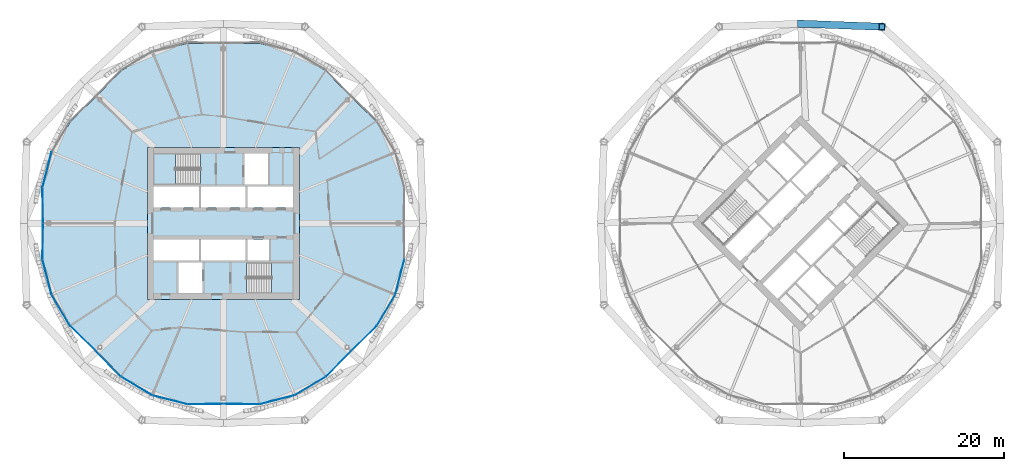
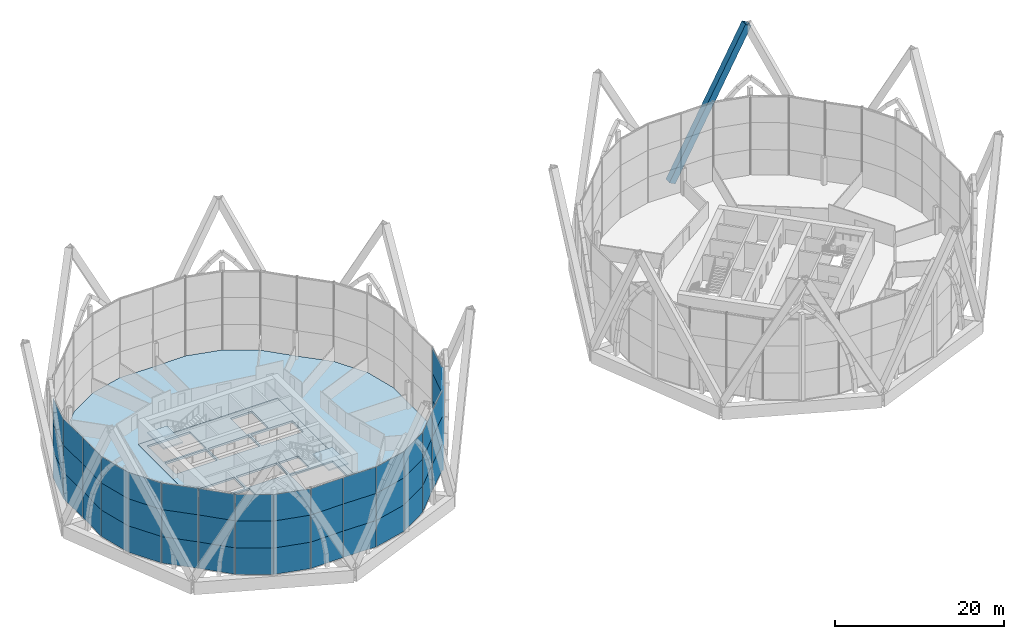
# One storey, part 24 of 37: 51 plates, 4 slabs, 1 member, 7 elements without a shape of their own.
"""IFC4 building model written with IfcOpenShell, lengths in metres."""

from ifc_helpers import new_model, si_unit, direction, frame, origin, origin_2d, place, context, subcontext, project, spatial, polyline, rectangle, hollow_rectangle, outline, extrude, material, layer, layer_set, material_profile, profile_set, type_object, element, aggregate, save


model = new_model("IFC4")

# Units and contexts
model_context = context("Model", 3, precision=1e-05, world=origin(), true_north=direction((0.0, 1.0)))
body_context = subcontext(model_context, "Body", "Model", "MODEL_VIEW")
ifc_project = project(units=[si_unit("LENGTHUNIT", "METRE"), si_unit("AREAUNIT", "SQUARE_METRE"), si_unit("VOLUMEUNIT", "CUBIC_METRE"), si_unit("PLANEANGLEUNIT", "RADIAN"), si_unit("MASSUNIT", "GRAM", prefix="KILO")], contexts=[model_context])

# Site, building, storey
site_placement = place(None, origin())
site = spatial("IfcSite", under=ifc_project, at=site_placement, CompositionType="ELEMENT")
building_placement = place(site_placement, origin())
building = spatial("IfcBuilding", under=site, at=building_placement, Name="Ogive Gate Towers", CompositionType="ELEMENT")
storey_placement = place(building_placement, frame((0.0, 0.0, 32.39990234375)))
storey = spatial("IfcBuildingStorey", under=building, at=storey_placement, Name="L06", CompositionType="ELEMENT", Elevation=32.39990234375)

# Member
ifc_material_1 = material(Name="Steel SM460", Category="steel")
ifc_material_profile = material_profile(ifc_material_1, hollow_rectangle(XDim=0.89990234375, YDim=0.89990234375, WallThickness=0.10009765625, at=origin_2d()), Name="BX 900x900x100")
ifc_profile_set = profile_set([ifc_material_profile], Name="Steel SM460")
member_type = type_object("IfcMemberType", Name="Diagrid diagonal BX 900x900x100", PredefinedType="BRACE", material=ifc_profile_set)
member_placement = place(storey_placement, frame((36.0, 24.909912109375, 0.0), z_axis=(0.462004857089, -0.017318521171, 0.886708283964), x_axis=(0.037459273404, 0.999298155125, 0.0)))
element("IfcMember", 1, at=member_placement, inside=storey, type_object=member_type, Name="T2/L06/SDG005", PredefinedType="BRACE", context=body_context, shape_type="SweptSolid", body=[
    extrude(hollow_rectangle(XDim=0.89990234375, YDim=0.89990234375, WallThickness=0.10009765625, at=origin_2d()), origin(), (0.0, 0.0, 1.0), 21.991455078125),
])

# Slabs
ifc_material_2 = material(Name="Concrete C40/50", Category="concrete")
ifc_layer_1 = layer(ifc_material_2, 0.300048828125)
ifc_layer_set_1 = layer_set([ifc_layer_1], Name="Core slab C40/50 300 mm")
slab_type_1 = type_object("IfcSlabType", Name="Core slab C40/50 300 mm", PredefinedType="FLOOR", material=ifc_layer_set_1)
slab_1_placement = place(storey_placement, frame((0.0, 0.0, -0.2998046875)))
element("IfcSlab", 2, at=slab_1_placement, inside=storey, type_object=slab_type_1, Name="T1 L06 core slab", PredefinedType="FLOOR", context=body_context, shape_type="SweptSolid", body=[
    extrude(outline(polyline([(-26.5, 9.5), (-26.5, -9.5), (-45.5, -9.5), (-45.5, 9.5), (-26.5, 9.5)]), holes=[polyline([(-39.02490234375, 4.625), (-44.699951171875, 4.625), (-44.699951171875, 2.0), (-39.02490234375, 2.0), (-39.02490234375, 4.625)]), polyline([(-33.22509765625, 2.0), (-33.22509765625, 4.625), (-38.77490234375, 4.625), (-38.77490234375, 2.0), (-33.22509765625, 2.0)]), polyline([(-32.97509765625, 2.0), (-27.300048828125, 2.0), (-27.300048828125, 4.625), (-32.97509765625, 4.625), (-32.97509765625, 2.0)]), polyline([(-44.699951171875, -2.0), (-44.699951171875, -4.625), (-39.02490234375, -4.625), (-39.02490234375, -2.0), (-44.699951171875, -2.0)]), polyline([(-33.22509765625, -2.0), (-38.77490234375, -2.0), (-38.77490234375, -4.625), (-33.22509765625, -4.625), (-33.22509765625, -2.0)]), polyline([(-30.324951171875, -4.625), (-30.324951171875, -2.0), (-32.97509765625, -2.0), (-32.97509765625, -4.625), (-30.324951171875, -4.625)]), polyline([(-33.375, 4.875), (-30.425048828125, 4.875), (-30.425048828125, 8.699951171875), (-33.375, 8.699951171875), (-33.375, 4.875)]), polyline([(-41.574951171875, -4.875), (-41.574951171875, -8.699951171875), (-38.625, -8.699951171875), (-38.625, -4.875), (-41.574951171875, -4.875)]), polyline([(-44.699951171875, 4.875), (-38.885009765625, 4.875), (-38.885009765625, 8.699951171875), (-44.699951171875, 8.699951171875), (-44.699951171875, 4.875)]), polyline([(-27.300048828125, -8.699951171875), (-27.300048828125, -4.875), (-33.114990234375, -4.875), (-33.114990234375, -8.699951171875), (-27.300048828125, -8.699951171875)])]), origin(), (0.0, 0.0, 1.0), 0.2998046875),
])
ifc_material_3 = material(Name="Concrete C35/45", Category="concrete")
ifc_layer_2 = layer(ifc_material_3, 0.300048828125)
ifc_layer_set_2 = layer_set([ifc_layer_2], Name="Floor slab 300")
slab_type_2 = type_object("IfcSlabType", Name="Floor slab 300", PredefinedType="FLOOR", material=ifc_layer_set_2)
slab_2_placement = place(storey_placement, frame((0.0, 0.0, -0.2998046875)))
element("IfcSlab", 3, at=slab_2_placement, inside=storey, type_object=slab_type_2, Name="T1/L06/SSL001", PredefinedType="FLOOR", context=body_context, shape_type="SweptSolid", body=[
    extrude(outline(polyline([(-13.5302734375, -4.469482421875), (-13.590087890625, 0.0), (-13.5302734375, 4.469482421875), (-14.649169921875, 8.84375), (-16.950927734375, 12.72802734375), (-20.15380859375, 15.84619140625), (-23.27197265625, 19.049072265625), (-27.15625, 21.350830078125), (-31.530517578125, 22.4697265625), (-36.0, 22.409912109375), (-40.469482421875, 22.4697265625), (-44.84375, 21.350830078125), (-48.72802734375, 19.049072265625), (-51.84619140625, 15.84619140625), (-55.049072265625, 12.72802734375), (-57.350830078125, 8.84375), (-58.4697265625, 4.469482421875), (-58.409912109375, 0.0), (-58.4697265625, -4.469482421875), (-57.350830078125, -8.84375), (-55.049072265625, -12.72802734375), (-51.84619140625, -15.84619140625), (-48.72802734375, -19.049072265625), (-44.84375, -21.350830078125), (-40.469482421875, -22.4697265625), (-36.0, -22.409912109375), (-31.530517578125, -22.4697265625), (-27.15625, -21.350830078125), (-23.27197265625, -19.049072265625), (-20.15380859375, -15.84619140625), (-16.950927734375, -12.72802734375), (-14.649169921875, -8.84375), (-13.5302734375, -4.469482421875)]), holes=[polyline([(-26.5, -9.5), (-45.5, -9.5), (-45.5, 9.5), (-26.5, 9.5), (-26.5, -9.5)])]), origin(), (0.0, 0.0, 1.0), 0.2998046875),
])

# Stair, slab
stair_type = type_object("IfcStairType", Name="Escape stair 1840 wide", PredefinedType="HALF_TURN_STAIR", material=ifc_material_2)
stair_1_placement = place(storey_placement, origin())
stair_1 = element("IfcStair", 4, at=stair_1_placement, inside=storey, type_object=stair_type, Name="L06 Escape stair 1", PredefinedType="HALF_TURN_STAIR")
ifc_layer_3 = layer(ifc_material_2, 0.199951171875)
ifc_layer_set_3 = layer_set([ifc_layer_3], Name="Stair landing 200 mm")
slab_type_3 = type_object("IfcSlabType", Name="Stair landing 200 mm", PredefinedType="LANDING", material=ifc_layer_set_3)
slab_3_placement = place(storey_placement, frame((0.0, 0.0, 1.75)))
slab_3 = element("IfcSlab", 5, at=slab_3_placement, type_object=slab_type_3, Name="ST1 landing 1", PredefinedType="LANDING", context=body_context, shape_type="SweptSolid", body=[
    extrude(outline(polyline([(-42.00146484375, 8.699951171875), (-44.699951171875, 8.699951171875), (-44.699951171875, 4.875), (-42.00146484375, 4.875), (-42.00146484375, 8.699951171875)])), origin(), (0.0, 0.0, 1.0), 0.2001953125),
])
aggregate(stair_1, [slab_3])

stair_2_placement = place(storey_placement, origin())
stair_2 = element("IfcStair", 6, at=stair_2_placement, inside=storey, type_object=stair_type, Name="L06 Escape stair 2", PredefinedType="HALF_TURN_STAIR")
slab_4_placement = place(storey_placement, frame((0.0, 0.0, 1.75)))
slab_4 = element("IfcSlab", 7, at=slab_4_placement, type_object=slab_type_3, Name="ST2 landing 1", PredefinedType="LANDING", context=body_context, shape_type="SweptSolid", body=[
    extrude(outline(polyline([(-29.99853515625, -8.699951171875), (-27.300048828125, -8.699951171875), (-27.300048828125, -4.875), (-29.99853515625, -4.875), (-29.99853515625, -8.699951171875)])), origin(), (0.0, 0.0, 1.0), 0.2001953125),
])
aggregate(stair_2, [slab_4])

# Curtain wall, plates
ifc_material_4 = material(Name="Pale metal aluminium", Category="aluminium")
curtain_wall_type = type_object("IfcCurtainWallType", Name="Tower unitised wall, low zone", PredefinedType="NOTDEFINED", material=ifc_material_4)
curtain_wall_1_placement = place(storey_placement, origin())
curtain_wall_1 = element("IfcCurtainWall", 8, at=curtain_wall_1_placement, inside=storey, type_object=curtain_wall_type, Name="CW1 T1 ECW04", PredefinedType="NOTDEFINED")
ifc_material_5 = material(Name="Clear glass", Category="glass")
ifc_layer_4 = layer(ifc_material_5, 0.028076171875)
ifc_layer_set_4 = layer_set([ifc_layer_4], Name="Tower unitised wall, low zone glass panel")
plate_type = type_object("IfcPlateType", Name="Tower unitised wall, low zone glass panel", PredefinedType="CURTAIN_PANEL", material=ifc_layer_set_4)
plate_1_placement = place(storey_placement, frame((-58.007080078125, 6.681884765625, -0.2041015625), z_axis=(0.0, 0.0, 1.0), x_axis=(-0.247827635532, -0.968804140715, 0.0)))
plate_1 = element("IfcPlate", 9, at=plate_1_placement, type_object=plate_type, Name="CW1 glass panel", PredefinedType="CURTAIN_PANEL", context=body_context, shape_type="SweptSolid", body=[
    extrude(rectangle(XDim=4.48095703125, YDim=0.028076171875, at=origin_2d()), origin(), (0.0, 0.0, 1.0), 3.803955078125),
])
plate_2_placement = place(storey_placement, frame((-58.007080078125, 6.681884765625, 3.60009765625), z_axis=(0.0, 0.0, 1.0), x_axis=(-0.247827635532, -0.968804140715, 0.0)))
plate_2 = element("IfcPlate", 10, at=plate_2_placement, type_object=plate_type, Name="CW1 glass panel", PredefinedType="CURTAIN_PANEL", context=body_context, shape_type="SweptSolid", body=[
    extrude(rectangle(XDim=4.48095703125, YDim=0.028076171875, at=origin_2d()), origin(), (0.0, 0.0, 1.0), 3.89990234375),
])
plate_3_placement = place(storey_placement, frame((-58.007080078125, 6.681884765625, 7.5), z_axis=(0.0, 0.0, 1.0), x_axis=(-0.247827635532, -0.968804140715, 0.0)))
plate_3 = element("IfcPlate", 11, at=plate_3_placement, type_object=plate_type, Name="CW1 glass panel", PredefinedType="CURTAIN_PANEL", context=body_context, shape_type="SweptSolid", body=[
    extrude(rectangle(XDim=4.48095703125, YDim=0.028076171875, at=origin_2d()), origin(), (0.0, 0.0, 1.0), 3.803955078125),
])
plate_4_placement = place(storey_placement, frame((-58.5400390625, 2.23876953125, -0.2041015625), z_axis=(0.0, 0.0, 1.0), x_axis=(0.013386275544, -0.999910399799, 0.0)))
plate_4 = element("IfcPlate", 12, at=plate_4_placement, type_object=plate_type, Name="CW1 glass panel", PredefinedType="CURTAIN_PANEL", context=body_context, shape_type="SweptSolid", body=[
    extrude(rectangle(XDim=4.423828125, YDim=0.028076171875, at=origin_2d()), origin(), (0.0, 0.0, 1.0), 3.803955078125),
])
plate_5_placement = place(storey_placement, frame((-58.5400390625, 2.23876953125, 3.60009765625), z_axis=(0.0, 0.0, 1.0), x_axis=(0.013386275544, -0.999910399799, 0.0)))
plate_5 = element("IfcPlate", 13, at=plate_5_placement, type_object=plate_type, Name="CW1 glass panel", PredefinedType="CURTAIN_PANEL", context=body_context, shape_type="SweptSolid", body=[
    extrude(rectangle(XDim=4.423828125, YDim=0.028076171875, at=origin_2d()), origin(), (0.0, 0.0, 1.0), 3.89990234375),
])
plate_6_placement = place(storey_placement, frame((-58.5400390625, 2.23876953125, 7.5), z_axis=(0.0, 0.0, 1.0), x_axis=(0.013386275544, -0.999910399799, 0.0)))
plate_6 = element("IfcPlate", 14, at=plate_6_placement, type_object=plate_type, Name="CW1 glass panel", PredefinedType="CURTAIN_PANEL", context=body_context, shape_type="SweptSolid", body=[
    extrude(rectangle(XDim=4.423828125, YDim=0.028076171875, at=origin_2d()), origin(), (0.0, 0.0, 1.0), 3.803955078125),
])
aggregate(curtain_wall_1, [plate_1, plate_2, plate_3, plate_4, plate_5, plate_6])

curtain_wall_2_placement = place(storey_placement, origin())
curtain_wall_2 = element("IfcCurtainWall", 15, at=curtain_wall_2_placement, inside=storey, type_object=curtain_wall_type, Name="CW1 T1 ECW05", PredefinedType="NOTDEFINED")
plate_7_placement = place(storey_placement, frame((-58.5400390625, -2.23876953125, -0.2041015625), z_axis=(0.0, 0.0, 1.0), x_axis=(-0.013386275544, -0.999910399799, 0.0)))
plate_7 = element("IfcPlate", 16, at=plate_7_placement, type_object=plate_type, Name="CW1 glass panel", PredefinedType="CURTAIN_PANEL", context=body_context, shape_type="SweptSolid", body=[
    extrude(rectangle(XDim=4.423828125, YDim=0.028076171875, at=origin_2d()), origin(), (0.0, 0.0, 1.0), 3.803955078125),
])
plate_8_placement = place(storey_placement, frame((-58.5400390625, -2.23876953125, 3.60009765625), z_axis=(0.0, 0.0, 1.0), x_axis=(-0.013386275544, -0.999910399799, 0.0)))
plate_8 = element("IfcPlate", 17, at=plate_8_placement, type_object=plate_type, Name="CW1 glass panel", PredefinedType="CURTAIN_PANEL", context=body_context, shape_type="SweptSolid", body=[
    extrude(rectangle(XDim=4.423828125, YDim=0.028076171875, at=origin_2d()), origin(), (0.0, 0.0, 1.0), 3.89990234375),
])
plate_9_placement = place(storey_placement, frame((-58.5400390625, -2.23876953125, 7.5), z_axis=(0.0, 0.0, 1.0), x_axis=(-0.013386275544, -0.999910399799, 0.0)))
plate_9 = element("IfcPlate", 18, at=plate_9_placement, type_object=plate_type, Name="CW1 glass panel", PredefinedType="CURTAIN_PANEL", context=body_context, shape_type="SweptSolid", body=[
    extrude(rectangle(XDim=4.423828125, YDim=0.028076171875, at=origin_2d()), origin(), (0.0, 0.0, 1.0), 3.803955078125),
])
plate_10_placement = place(storey_placement, frame((-58.007080078125, -6.681884765625, -0.2041015625), z_axis=(0.0, 0.0, 1.0), x_axis=(0.247827635532, -0.968804140715, 0.0)))
plate_10 = element("IfcPlate", 19, at=plate_10_placement, type_object=plate_type, Name="CW1 glass panel", PredefinedType="CURTAIN_PANEL", context=body_context, shape_type="SweptSolid", body=[
    extrude(rectangle(XDim=4.48095703125, YDim=0.028076171875, at=origin_2d()), origin(), (0.0, 0.0, 1.0), 3.803955078125),
])
plate_11_placement = place(storey_placement, frame((-58.007080078125, -6.681884765625, 3.60009765625), z_axis=(0.0, 0.0, 1.0), x_axis=(0.247827635532, -0.968804140715, 0.0)))
plate_11 = element("IfcPlate", 20, at=plate_11_placement, type_object=plate_type, Name="CW1 glass panel", PredefinedType="CURTAIN_PANEL", context=body_context, shape_type="SweptSolid", body=[
    extrude(rectangle(XDim=4.48095703125, YDim=0.028076171875, at=origin_2d()), origin(), (0.0, 0.0, 1.0), 3.89990234375),
])
plate_12_placement = place(storey_placement, frame((-58.007080078125, -6.681884765625, 7.5), z_axis=(0.0, 0.0, 1.0), x_axis=(0.247827635532, -0.968804140715, 0.0)))
plate_12 = element("IfcPlate", 21, at=plate_12_placement, type_object=plate_type, Name="CW1 glass panel", PredefinedType="CURTAIN_PANEL", context=body_context, shape_type="SweptSolid", body=[
    extrude(rectangle(XDim=4.48095703125, YDim=0.028076171875, at=origin_2d()), origin(), (0.0, 0.0, 1.0), 3.803955078125),
])
plate_13_placement = place(storey_placement, frame((-56.2861328125, -10.836669921875, -0.2041015625), z_axis=(0.0, 0.0, 1.0), x_axis=(0.509822390682, -0.860279681243, 0.0)))
plate_13 = element("IfcPlate", 22, at=plate_13_placement, type_object=plate_type, Name="CW1 glass panel", PredefinedType="CURTAIN_PANEL", context=body_context, shape_type="SweptSolid", body=[
    extrude(rectangle(XDim=4.48095703125, YDim=0.028076171875, at=origin_2d()), origin(), (0.0, 0.0, 1.0), 3.803955078125),
])
plate_14_placement = place(storey_placement, frame((-56.2861328125, -10.836669921875, 3.60009765625), z_axis=(0.0, 0.0, 1.0), x_axis=(0.509822390682, -0.860279681243, 0.0)))
plate_14 = element("IfcPlate", 23, at=plate_14_placement, type_object=plate_type, Name="CW1 glass panel", PredefinedType="CURTAIN_PANEL", context=body_context, shape_type="SweptSolid", body=[
    extrude(rectangle(XDim=4.48095703125, YDim=0.028076171875, at=origin_2d()), origin(), (0.0, 0.0, 1.0), 3.89990234375),
])
plate_15_placement = place(storey_placement, frame((-56.2861328125, -10.836669921875, 7.5), z_axis=(0.0, 0.0, 1.0), x_axis=(0.509822390682, -0.860279681243, 0.0)))
plate_15 = element("IfcPlate", 24, at=plate_15_placement, type_object=plate_type, Name="CW1 glass panel", PredefinedType="CURTAIN_PANEL", context=body_context, shape_type="SweptSolid", body=[
    extrude(rectangle(XDim=4.48095703125, YDim=0.028076171875, at=origin_2d()), origin(), (0.0, 0.0, 1.0), 3.803955078125),
])
plate_16_placement = place(storey_placement, frame((-53.521240234375, -14.35498046875, -0.2041015625), z_axis=(0.0, 0.0, 1.0), x_axis=(0.716496775349, -0.697590403399, 0.0)))
plate_16 = element("IfcPlate", 25, at=plate_16_placement, type_object=plate_type, Name="CW1 glass panel", PredefinedType="CURTAIN_PANEL", context=body_context, shape_type="SweptSolid", body=[
    extrude(rectangle(XDim=4.424072265625, YDim=0.028076171875, at=origin_2d()), origin(), (0.0, 0.0, 1.0), 3.803955078125),
])
plate_17_placement = place(storey_placement, frame((-53.521240234375, -14.35498046875, 3.60009765625), z_axis=(0.0, 0.0, 1.0), x_axis=(0.716496775349, -0.697590403399, 0.0)))
plate_17 = element("IfcPlate", 26, at=plate_17_placement, type_object=plate_type, Name="CW1 glass panel", PredefinedType="CURTAIN_PANEL", context=body_context, shape_type="SweptSolid", body=[
    extrude(rectangle(XDim=4.424072265625, YDim=0.028076171875, at=origin_2d()), origin(), (0.0, 0.0, 1.0), 3.89990234375),
])
plate_18_placement = place(storey_placement, frame((-53.521240234375, -14.35498046875, 7.5), z_axis=(0.0, 0.0, 1.0), x_axis=(0.716496775349, -0.697590403399, 0.0)))
plate_18 = element("IfcPlate", 27, at=plate_18_placement, type_object=plate_type, Name="CW1 glass panel", PredefinedType="CURTAIN_PANEL", context=body_context, shape_type="SweptSolid", body=[
    extrude(rectangle(XDim=4.424072265625, YDim=0.028076171875, at=origin_2d()), origin(), (0.0, 0.0, 1.0), 3.803955078125),
])
aggregate(curtain_wall_2, [plate_7, plate_8, plate_9, plate_10, plate_11, plate_12, plate_13, plate_14, plate_15, plate_16, plate_17, plate_18])

curtain_wall_3_placement = place(storey_placement, origin())
curtain_wall_3 = element("IfcCurtainWall", 28, at=curtain_wall_3_placement, inside=storey, type_object=curtain_wall_type, Name="CW1 T1 ECW06", PredefinedType="NOTDEFINED")
plate_19_placement = place(storey_placement, frame((-50.35498046875, -17.521240234375, -0.2041015625), z_axis=(0.0, 0.0, 1.0), x_axis=(0.697590403399, -0.716496775349, 0.0)))
plate_19 = element("IfcPlate", 29, at=plate_19_placement, type_object=plate_type, Name="CW1 glass panel", PredefinedType="CURTAIN_PANEL", context=body_context, shape_type="SweptSolid", body=[
    extrude(rectangle(XDim=4.424072265625, YDim=0.028076171875, at=origin_2d()), origin(), (0.0, 0.0, 1.0), 3.803955078125),
])
plate_20_placement = place(storey_placement, frame((-50.35498046875, -17.521240234375, 3.60009765625), z_axis=(0.0, 0.0, 1.0), x_axis=(0.697590403399, -0.716496775349, 0.0)))
plate_20 = element("IfcPlate", 30, at=plate_20_placement, type_object=plate_type, Name="CW1 glass panel", PredefinedType="CURTAIN_PANEL", context=body_context, shape_type="SweptSolid", body=[
    extrude(rectangle(XDim=4.424072265625, YDim=0.028076171875, at=origin_2d()), origin(), (0.0, 0.0, 1.0), 3.89990234375),
])
plate_21_placement = place(storey_placement, frame((-50.35498046875, -17.521240234375, 7.5), z_axis=(0.0, 0.0, 1.0), x_axis=(0.697590403399, -0.716496775349, 0.0)))
plate_21 = element("IfcPlate", 31, at=plate_21_placement, type_object=plate_type, Name="CW1 glass panel", PredefinedType="CURTAIN_PANEL", context=body_context, shape_type="SweptSolid", body=[
    extrude(rectangle(XDim=4.424072265625, YDim=0.028076171875, at=origin_2d()), origin(), (0.0, 0.0, 1.0), 3.803955078125),
])
plate_22_placement = place(storey_placement, frame((-46.836669921875, -20.2861328125, -0.2041015625), z_axis=(0.0, 0.0, 1.0), x_axis=(0.860279681243, -0.509822390682, 0.0)))
plate_22 = element("IfcPlate", 32, at=plate_22_placement, type_object=plate_type, Name="CW1 glass panel", PredefinedType="CURTAIN_PANEL", context=body_context, shape_type="SweptSolid", body=[
    extrude(rectangle(XDim=4.48095703125, YDim=0.028076171875, at=origin_2d()), origin(), (0.0, 0.0, 1.0), 3.803955078125),
])
plate_23_placement = place(storey_placement, frame((-46.836669921875, -20.2861328125, 3.60009765625), z_axis=(0.0, 0.0, 1.0), x_axis=(0.860279681243, -0.509822390682, 0.0)))
plate_23 = element("IfcPlate", 33, at=plate_23_placement, type_object=plate_type, Name="CW1 glass panel", PredefinedType="CURTAIN_PANEL", context=body_context, shape_type="SweptSolid", body=[
    extrude(rectangle(XDim=4.48095703125, YDim=0.028076171875, at=origin_2d()), origin(), (0.0, 0.0, 1.0), 3.89990234375),
])
plate_24_placement = place(storey_placement, frame((-46.836669921875, -20.2861328125, 7.5), z_axis=(0.0, 0.0, 1.0), x_axis=(0.860279681243, -0.509822390682, 0.0)))
plate_24 = element("IfcPlate", 34, at=plate_24_placement, type_object=plate_type, Name="CW1 glass panel", PredefinedType="CURTAIN_PANEL", context=body_context, shape_type="SweptSolid", body=[
    extrude(rectangle(XDim=4.48095703125, YDim=0.028076171875, at=origin_2d()), origin(), (0.0, 0.0, 1.0), 3.803955078125),
])
plate_25_placement = place(storey_placement, frame((-42.681884765625, -22.007080078125, -0.2041015625), z_axis=(0.0, 0.0, 1.0), x_axis=(0.968804140715, -0.247827635532, 0.0)))
plate_25 = element("IfcPlate", 35, at=plate_25_placement, type_object=plate_type, Name="CW1 glass panel", PredefinedType="CURTAIN_PANEL", context=body_context, shape_type="SweptSolid", body=[
    extrude(rectangle(XDim=4.48095703125, YDim=0.028076171875, at=origin_2d()), origin(), (0.0, 0.0, 1.0), 3.803955078125),
])
plate_26_placement = place(storey_placement, frame((-42.681884765625, -22.007080078125, 3.60009765625), z_axis=(0.0, 0.0, 1.0), x_axis=(0.968804140715, -0.247827635532, 0.0)))
plate_26 = element("IfcPlate", 36, at=plate_26_placement, type_object=plate_type, Name="CW1 glass panel", PredefinedType="CURTAIN_PANEL", context=body_context, shape_type="SweptSolid", body=[
    extrude(rectangle(XDim=4.48095703125, YDim=0.028076171875, at=origin_2d()), origin(), (0.0, 0.0, 1.0), 3.89990234375),
])
plate_27_placement = place(storey_placement, frame((-42.681884765625, -22.007080078125, 7.5), z_axis=(0.0, 0.0, 1.0), x_axis=(0.968804140715, -0.247827635532, 0.0)))
plate_27 = element("IfcPlate", 37, at=plate_27_placement, type_object=plate_type, Name="CW1 glass panel", PredefinedType="CURTAIN_PANEL", context=body_context, shape_type="SweptSolid", body=[
    extrude(rectangle(XDim=4.48095703125, YDim=0.028076171875, at=origin_2d()), origin(), (0.0, 0.0, 1.0), 3.803955078125),
])
plate_28_placement = place(storey_placement, frame((-38.23876953125, -22.5400390625, -0.2041015625), z_axis=(0.0, 0.0, 1.0), x_axis=(0.999910399799, 0.013386275544, 0.0)))
plate_28 = element("IfcPlate", 38, at=plate_28_placement, type_object=plate_type, Name="CW1 glass panel", PredefinedType="CURTAIN_PANEL", context=body_context, shape_type="SweptSolid", body=[
    extrude(rectangle(XDim=4.423828125, YDim=0.028076171875, at=origin_2d()), origin(), (0.0, 0.0, 1.0), 3.803955078125),
])
plate_29_placement = place(storey_placement, frame((-38.23876953125, -22.5400390625, 3.60009765625), z_axis=(0.0, 0.0, 1.0), x_axis=(0.999910399799, 0.013386275544, 0.0)))
plate_29 = element("IfcPlate", 39, at=plate_29_placement, type_object=plate_type, Name="CW1 glass panel", PredefinedType="CURTAIN_PANEL", context=body_context, shape_type="SweptSolid", body=[
    extrude(rectangle(XDim=4.423828125, YDim=0.028076171875, at=origin_2d()), origin(), (0.0, 0.0, 1.0), 3.89990234375),
])
plate_30_placement = place(storey_placement, frame((-38.23876953125, -22.5400390625, 7.5), z_axis=(0.0, 0.0, 1.0), x_axis=(0.999910399799, 0.013386275544, 0.0)))
plate_30 = element("IfcPlate", 40, at=plate_30_placement, type_object=plate_type, Name="CW1 glass panel", PredefinedType="CURTAIN_PANEL", context=body_context, shape_type="SweptSolid", body=[
    extrude(rectangle(XDim=4.423828125, YDim=0.028076171875, at=origin_2d()), origin(), (0.0, 0.0, 1.0), 3.803955078125),
])
aggregate(curtain_wall_3, [plate_19, plate_20, plate_21, plate_22, plate_23, plate_24, plate_25, plate_26, plate_27, plate_28, plate_29, plate_30])

curtain_wall_4_placement = place(storey_placement, origin())
curtain_wall_4 = element("IfcCurtainWall", 41, at=curtain_wall_4_placement, inside=storey, type_object=curtain_wall_type, Name="CW1 T1 ECW07", PredefinedType="NOTDEFINED")
plate_31_placement = place(storey_placement, frame((-33.76123046875, -22.5400390625, -0.2041015625), z_axis=(0.0, 0.0, 1.0), x_axis=(0.999910399799, -0.013386275544, 0.0)))
plate_31 = element("IfcPlate", 42, at=plate_31_placement, type_object=plate_type, Name="CW1 glass panel", PredefinedType="CURTAIN_PANEL", context=body_context, shape_type="SweptSolid", body=[
    extrude(rectangle(XDim=4.423828125, YDim=0.028076171875, at=origin_2d()), origin(), (0.0, 0.0, 1.0), 3.803955078125),
])
plate_32_placement = place(storey_placement, frame((-33.76123046875, -22.5400390625, 3.60009765625), z_axis=(0.0, 0.0, 1.0), x_axis=(0.999910399799, -0.013386275544, 0.0)))
plate_32 = element("IfcPlate", 43, at=plate_32_placement, type_object=plate_type, Name="CW1 glass panel", PredefinedType="CURTAIN_PANEL", context=body_context, shape_type="SweptSolid", body=[
    extrude(rectangle(XDim=4.423828125, YDim=0.028076171875, at=origin_2d()), origin(), (0.0, 0.0, 1.0), 3.89990234375),
])
plate_33_placement = place(storey_placement, frame((-33.76123046875, -22.5400390625, 7.5), z_axis=(0.0, 0.0, 1.0), x_axis=(0.999910399799, -0.013386275544, 0.0)))
plate_33 = element("IfcPlate", 44, at=plate_33_placement, type_object=plate_type, Name="CW1 glass panel", PredefinedType="CURTAIN_PANEL", context=body_context, shape_type="SweptSolid", body=[
    extrude(rectangle(XDim=4.423828125, YDim=0.028076171875, at=origin_2d()), origin(), (0.0, 0.0, 1.0), 3.803955078125),
])
plate_34_placement = place(storey_placement, frame((-29.318115234375, -22.007080078125, -0.2041015625), z_axis=(0.0, 0.0, 1.0), x_axis=(0.968804140715, 0.247827635532, 0.0)))
plate_34 = element("IfcPlate", 45, at=plate_34_placement, type_object=plate_type, Name="CW1 glass panel", PredefinedType="CURTAIN_PANEL", context=body_context, shape_type="SweptSolid", body=[
    extrude(rectangle(XDim=4.48095703125, YDim=0.028076171875, at=origin_2d()), origin(), (0.0, 0.0, 1.0), 3.803955078125),
])
plate_35_placement = place(storey_placement, frame((-29.318115234375, -22.007080078125, 3.60009765625), z_axis=(0.0, 0.0, 1.0), x_axis=(0.968804140715, 0.247827635532, 0.0)))
plate_35 = element("IfcPlate", 46, at=plate_35_placement, type_object=plate_type, Name="CW1 glass panel", PredefinedType="CURTAIN_PANEL", context=body_context, shape_type="SweptSolid", body=[
    extrude(rectangle(XDim=4.48095703125, YDim=0.028076171875, at=origin_2d()), origin(), (0.0, 0.0, 1.0), 3.89990234375),
])
plate_36_placement = place(storey_placement, frame((-29.318115234375, -22.007080078125, 7.5), z_axis=(0.0, 0.0, 1.0), x_axis=(0.968804140715, 0.247827635532, 0.0)))
plate_36 = element("IfcPlate", 47, at=plate_36_placement, type_object=plate_type, Name="CW1 glass panel", PredefinedType="CURTAIN_PANEL", context=body_context, shape_type="SweptSolid", body=[
    extrude(rectangle(XDim=4.48095703125, YDim=0.028076171875, at=origin_2d()), origin(), (0.0, 0.0, 1.0), 3.803955078125),
])
plate_37_placement = place(storey_placement, frame((-25.163330078125, -20.2861328125, -0.2041015625), z_axis=(0.0, 0.0, 1.0), x_axis=(0.860279681243, 0.509822390682, 0.0)))
plate_37 = element("IfcPlate", 48, at=plate_37_placement, type_object=plate_type, Name="CW1 glass panel", PredefinedType="CURTAIN_PANEL", context=body_context, shape_type="SweptSolid", body=[
    extrude(rectangle(XDim=4.48095703125, YDim=0.028076171875, at=origin_2d()), origin(), (0.0, 0.0, 1.0), 3.803955078125),
])
plate_38_placement = place(storey_placement, frame((-25.163330078125, -20.2861328125, 3.60009765625), z_axis=(0.0, 0.0, 1.0), x_axis=(0.860279681243, 0.509822390682, 0.0)))
plate_38 = element("IfcPlate", 49, at=plate_38_placement, type_object=plate_type, Name="CW1 glass panel", PredefinedType="CURTAIN_PANEL", context=body_context, shape_type="SweptSolid", body=[
    extrude(rectangle(XDim=4.48095703125, YDim=0.028076171875, at=origin_2d()), origin(), (0.0, 0.0, 1.0), 3.89990234375),
])
plate_39_placement = place(storey_placement, frame((-25.163330078125, -20.2861328125, 7.5), z_axis=(0.0, 0.0, 1.0), x_axis=(0.860279681243, 0.509822390682, 0.0)))
plate_39 = element("IfcPlate", 50, at=plate_39_placement, type_object=plate_type, Name="CW1 glass panel", PredefinedType="CURTAIN_PANEL", context=body_context, shape_type="SweptSolid", body=[
    extrude(rectangle(XDim=4.48095703125, YDim=0.028076171875, at=origin_2d()), origin(), (0.0, 0.0, 1.0), 3.803955078125),
])
plate_40_placement = place(storey_placement, frame((-21.64501953125, -17.521240234375, -0.2041015625), z_axis=(0.0, 0.0, 1.0), x_axis=(0.697590403399, 0.716496775349, 0.0)))
plate_40 = element("IfcPlate", 51, at=plate_40_placement, type_object=plate_type, Name="CW1 glass panel", PredefinedType="CURTAIN_PANEL", context=body_context, shape_type="SweptSolid", body=[
    extrude(rectangle(XDim=4.424072265625, YDim=0.028076171875, at=origin_2d()), origin(), (0.0, 0.0, 1.0), 3.803955078125),
])
plate_41_placement = place(storey_placement, frame((-21.64501953125, -17.521240234375, 3.60009765625), z_axis=(0.0, 0.0, 1.0), x_axis=(0.697590403399, 0.716496775349, 0.0)))
plate_41 = element("IfcPlate", 52, at=plate_41_placement, type_object=plate_type, Name="CW1 glass panel", PredefinedType="CURTAIN_PANEL", context=body_context, shape_type="SweptSolid", body=[
    extrude(rectangle(XDim=4.424072265625, YDim=0.028076171875, at=origin_2d()), origin(), (0.0, 0.0, 1.0), 3.89990234375),
])
plate_42_placement = place(storey_placement, frame((-21.64501953125, -17.521240234375, 7.5), z_axis=(0.0, 0.0, 1.0), x_axis=(0.697590403399, 0.716496775349, 0.0)))
plate_42 = element("IfcPlate", 53, at=plate_42_placement, type_object=plate_type, Name="CW1 glass panel", PredefinedType="CURTAIN_PANEL", context=body_context, shape_type="SweptSolid", body=[
    extrude(rectangle(XDim=4.424072265625, YDim=0.028076171875, at=origin_2d()), origin(), (0.0, 0.0, 1.0), 3.803955078125),
])
aggregate(curtain_wall_4, [plate_31, plate_32, plate_33, plate_34, plate_35, plate_36, plate_37, plate_38, plate_39, plate_40, plate_41, plate_42])

curtain_wall_5_placement = place(storey_placement, origin())
curtain_wall_5 = element("IfcCurtainWall", 54, at=curtain_wall_5_placement, inside=storey, type_object=curtain_wall_type, Name="CW1 T1 ECW08", PredefinedType="NOTDEFINED")
plate_43_placement = place(storey_placement, frame((-18.478759765625, -14.35498046875, -0.2041015625), z_axis=(0.0, 0.0, 1.0), x_axis=(0.716496775349, 0.697590403399, 0.0)))
plate_43 = element("IfcPlate", 55, at=plate_43_placement, type_object=plate_type, Name="CW1 glass panel", PredefinedType="CURTAIN_PANEL", context=body_context, shape_type="SweptSolid", body=[
    extrude(rectangle(XDim=4.424072265625, YDim=0.028076171875, at=origin_2d()), origin(), (0.0, 0.0, 1.0), 3.803955078125),
])
plate_44_placement = place(storey_placement, frame((-18.478759765625, -14.35498046875, 3.60009765625), z_axis=(0.0, 0.0, 1.0), x_axis=(0.716496775349, 0.697590403399, 0.0)))
plate_44 = element("IfcPlate", 56, at=plate_44_placement, type_object=plate_type, Name="CW1 glass panel", PredefinedType="CURTAIN_PANEL", context=body_context, shape_type="SweptSolid", body=[
    extrude(rectangle(XDim=4.424072265625, YDim=0.028076171875, at=origin_2d()), origin(), (0.0, 0.0, 1.0), 3.89990234375),
])
plate_45_placement = place(storey_placement, frame((-18.478759765625, -14.35498046875, 7.5), z_axis=(0.0, 0.0, 1.0), x_axis=(0.716496775349, 0.697590403399, 0.0)))
plate_45 = element("IfcPlate", 57, at=plate_45_placement, type_object=plate_type, Name="CW1 glass panel", PredefinedType="CURTAIN_PANEL", context=body_context, shape_type="SweptSolid", body=[
    extrude(rectangle(XDim=4.424072265625, YDim=0.028076171875, at=origin_2d()), origin(), (0.0, 0.0, 1.0), 3.803955078125),
])
plate_46_placement = place(storey_placement, frame((-15.7138671875, -10.836669921875, -0.2041015625), z_axis=(0.0, 0.0, 1.0), x_axis=(0.509822390682, 0.860279681243, 0.0)))
plate_46 = element("IfcPlate", 58, at=plate_46_placement, type_object=plate_type, Name="CW1 glass panel", PredefinedType="CURTAIN_PANEL", context=body_context, shape_type="SweptSolid", body=[
    extrude(rectangle(XDim=4.48095703125, YDim=0.028076171875, at=origin_2d()), origin(), (0.0, 0.0, 1.0), 3.803955078125),
])
plate_47_placement = place(storey_placement, frame((-15.7138671875, -10.836669921875, 3.60009765625), z_axis=(0.0, 0.0, 1.0), x_axis=(0.509822390682, 0.860279681243, 0.0)))
plate_47 = element("IfcPlate", 59, at=plate_47_placement, type_object=plate_type, Name="CW1 glass panel", PredefinedType="CURTAIN_PANEL", context=body_context, shape_type="SweptSolid", body=[
    extrude(rectangle(XDim=4.48095703125, YDim=0.028076171875, at=origin_2d()), origin(), (0.0, 0.0, 1.0), 3.89990234375),
])
plate_48_placement = place(storey_placement, frame((-15.7138671875, -10.836669921875, 7.5), z_axis=(0.0, 0.0, 1.0), x_axis=(0.509822390682, 0.860279681243, 0.0)))
plate_48 = element("IfcPlate", 60, at=plate_48_placement, type_object=plate_type, Name="CW1 glass panel", PredefinedType="CURTAIN_PANEL", context=body_context, shape_type="SweptSolid", body=[
    extrude(rectangle(XDim=4.48095703125, YDim=0.028076171875, at=origin_2d()), origin(), (0.0, 0.0, 1.0), 3.803955078125),
])
plate_49_placement = place(storey_placement, frame((-13.992919921875, -6.681884765625, -0.2041015625), z_axis=(0.0, 0.0, 1.0), x_axis=(0.247827635532, 0.968804140715, 0.0)))
plate_49 = element("IfcPlate", 61, at=plate_49_placement, type_object=plate_type, Name="CW1 glass panel", PredefinedType="CURTAIN_PANEL", context=body_context, shape_type="SweptSolid", body=[
    extrude(rectangle(XDim=4.48095703125, YDim=0.028076171875, at=origin_2d()), origin(), (0.0, 0.0, 1.0), 3.803955078125),
])
plate_50_placement = place(storey_placement, frame((-13.992919921875, -6.681884765625, 3.60009765625), z_axis=(0.0, 0.0, 1.0), x_axis=(0.247827635532, 0.968804140715, 0.0)))
plate_50 = element("IfcPlate", 62, at=plate_50_placement, type_object=plate_type, Name="CW1 glass panel", PredefinedType="CURTAIN_PANEL", context=body_context, shape_type="SweptSolid", body=[
    extrude(rectangle(XDim=4.48095703125, YDim=0.028076171875, at=origin_2d()), origin(), (0.0, 0.0, 1.0), 3.89990234375),
])
plate_51_placement = place(storey_placement, frame((-13.992919921875, -6.681884765625, 7.5), z_axis=(0.0, 0.0, 1.0), x_axis=(0.247827635532, 0.968804140715, 0.0)))
plate_51 = element("IfcPlate", 63, at=plate_51_placement, type_object=plate_type, Name="CW1 glass panel", PredefinedType="CURTAIN_PANEL", context=body_context, shape_type="SweptSolid", body=[
    extrude(rectangle(XDim=4.48095703125, YDim=0.028076171875, at=origin_2d()), origin(), (0.0, 0.0, 1.0), 3.803955078125),
])
aggregate(curtain_wall_5, [plate_43, plate_44, plate_45, plate_46, plate_47, plate_48, plate_49, plate_50, plate_51])

save(model, "model.ifc")
